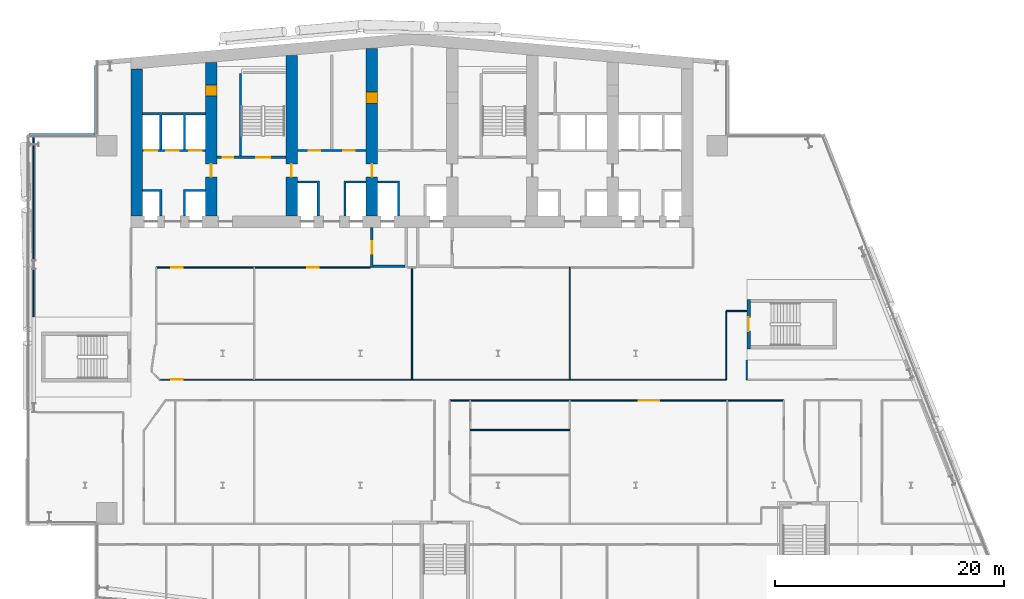
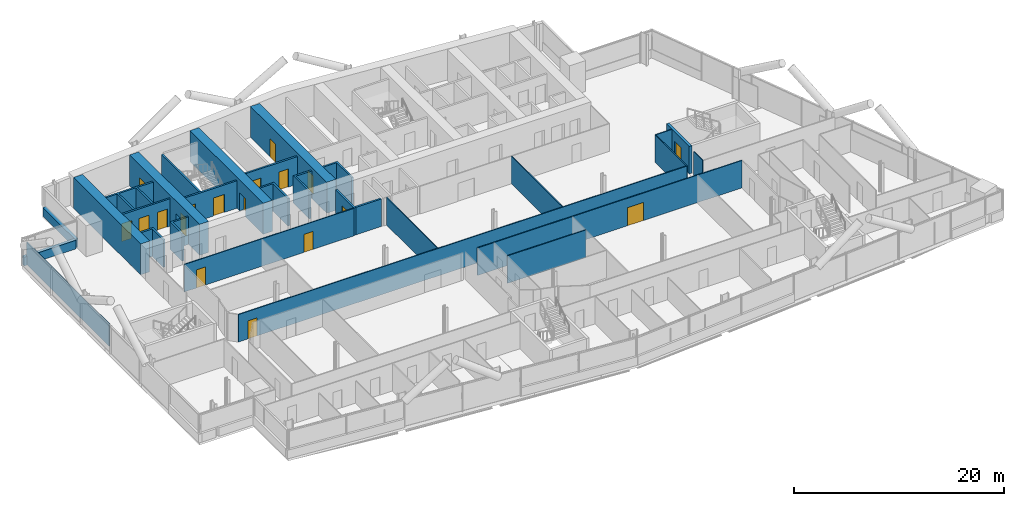
# One storey, part 17 of 27: 29 walls, 18 doors, 18 openings.
"""IFC4 building model written with IfcOpenShell, lengths in metres."""

from ifc_helpers import new_model, si_unit, direction, frame, frame_2d, origin, place, context, subcontext, project, spatial, polyline, rectangle, outline, extrude, material, layer, layer_set, type_object, element, fill, save


model = new_model("IFC4")

# Units and contexts
model_context = context("Model", 3, precision=1e-05, world=origin(), true_north=direction((0.0, 1.0)))
body_context = subcontext(model_context, "Body", "Model", "MODEL_VIEW")
ifc_project = project(units=[si_unit("LENGTHUNIT", "METRE"), si_unit("AREAUNIT", "SQUARE_METRE"), si_unit("VOLUMEUNIT", "CUBIC_METRE"), si_unit("PLANEANGLEUNIT", "RADIAN"), si_unit("MASSUNIT", "GRAM", prefix="KILO")], contexts=[model_context])

# Site, building, storey
site_placement = place(None, origin())
site = spatial("IfcSite", under=ifc_project, at=site_placement, CompositionType="ELEMENT")
building_placement = place(site_placement, origin())
building = spatial("IfcBuilding", under=site, at=building_placement, Name="Wharfspan Tower", CompositionType="ELEMENT")
storey_placement = place(building_placement, frame((0.0, 0.0, 136.300049)))
storey = spatial("IfcBuildingStorey", under=building, at=storey_placement, Name="L32", CompositionType="ELEMENT", Elevation=136.300049)

# Wall, openings, doors
ifc_material_1 = material(Name="Gypsum board on steel studs", Category="steel")
ifc_layer_1 = layer(ifc_material_1, 0.100098)
ifc_layer_set_1 = layer_set([ifc_layer_1], Name="Gypsum board on steel studs")
wall_type_1 = type_object("IfcWallType", Name="Compartment wall 100 EI 60", PredefinedType="PARTITIONING", material=ifc_layer_set_1)
wall_1_placement = place(storey_placement, frame((18.199951, 30.5, 0.0), z_axis=(0.0, 0.0, 1.0), x_axis=(1.0, 0.0, 0.0)))
wall_1 = element("IfcWall", 1, at=wall_1_placement, inside=storey, type_object=wall_type_1, Name="Partition L32.w017", PredefinedType="PARTITIONING", context=body_context, shape_type="SweptSolid", body=[
    extrude(rectangle(XDim=18.650146, YDim=0.100098, at=frame_2d((9.325195, 0.0))), origin(), (0.0, 0.0, 1.0), 3.199951),
])
opening_1_placement = place(wall_1_placement, frame((1.330078, 0.0, 0.0)))
opening_1 = element("IfcOpeningElement", 2, at=opening_1_placement, cuts=wall_1, Name="Opening B5-30", PredefinedType="OPENING", context=body_context, shape_type="SweptSolid", body=[
    extrude(rectangle(XDim=1.0, YDim=2.100098, at=frame_2d((0.5, 1.050049))), frame((0.0, 0.060059, 0.0), z_axis=(0.0, -1.0, 0.0), x_axis=(1.0, 0.0, 0.0)), (0.0, 0.0, 1.0), 0.120117),
])
opening_2_placement = place(wall_1_placement, frame((13.169922, 0.0, 0.0)))
opening_2 = element("IfcOpeningElement", 3, at=opening_2_placement, cuts=wall_1, Name="Opening B5-31", PredefinedType="OPENING", context=body_context, shape_type="SweptSolid", body=[
    extrude(rectangle(XDim=1.0, YDim=2.100098, at=frame_2d((0.5, 1.050049))), frame((0.0, 0.060059, 0.0), z_axis=(0.0, -1.0, 0.0), x_axis=(1.0, 0.0, 0.0)), (0.0, 0.0, 1.0), 0.120117),
])
ifc_material_2 = material(Name="Fire-rated timber door leaf in steel frame", Category="steel")
door_type_1 = type_object("IfcDoorType", Name="Door 1000 FD30S Left", OperationType="SINGLE_SWING_LEFT", PredefinedType="DOOR", material=ifc_material_2)
door_1_placement = place(opening_1_placement, origin())
door_1 = element("IfcDoor", 4, at=door_1_placement, inside=storey, type_object=door_type_1, Name="Door B5-30", OperationType="SINGLE_SWING_LEFT", OverallHeight=2.100098, OverallWidth=1.0, PredefinedType="DOOR", context=body_context, shape_type="SweptSolid", body=[
    extrude(rectangle(XDim=1.0, YDim=2.100098, at=frame_2d((0.5, 1.050049))), frame((0.0, 0.024902, 0.0), z_axis=(0.0, -1.0, 0.0), x_axis=(1.0, 0.0, 0.0)), (0.0, 0.0, 1.0), 0.050049),
])
fill(opening_1, door_1)
door_2_placement = place(opening_2_placement, origin())
door_2 = element("IfcDoor", 5, at=door_2_placement, inside=storey, type_object=door_type_1, Name="Door B5-31", OperationType="SINGLE_SWING_LEFT", OverallHeight=2.100098, OverallWidth=1.0, PredefinedType="DOOR", context=body_context, shape_type="SweptSolid", body=[
    extrude(rectangle(XDim=1.0, YDim=2.100098, at=frame_2d((0.5, 1.050049))), frame((0.0, 0.024902, 0.0), z_axis=(0.0, -1.0, 0.0), x_axis=(1.0, 0.0, 0.0)), (0.0, 0.0, 1.0), 0.050049),
])
fill(opening_2, door_2)

# Wall, opening, door
wall_2_placement = place(storey_placement, frame((18.504883, 20.715088, 0.0), z_axis=(0.0, 0.0, 1.0), x_axis=(1.0, 0.0, 0.0)))
wall_2 = element("IfcWall", 6, at=wall_2_placement, inside=storey, type_object=wall_type_1, Name="Partition L32.w019", PredefinedType="PARTITIONING", context=body_context, shape_type="SweptSolid", body=[
    extrude(rectangle(XDim=49.38501, YDim=0.100098, at=frame_2d((24.692383, 0.0))), origin(), (0.0, 0.0, 1.0), 3.199951),
])
opening_3_placement = place(wall_2_placement, frame((1.024902, 0.0, 0.0)))
opening_3 = element("IfcOpeningElement", 7, at=opening_3_placement, cuts=wall_2, Name="Opening B5-27", PredefinedType="OPENING", context=body_context, shape_type="SweptSolid", body=[
    extrude(rectangle(XDim=1.0, YDim=2.100098, at=frame_2d((0.5, 1.050049))), frame((0.0, 0.060059, 0.0), z_axis=(0.0, -1.0, 0.0), x_axis=(1.0, 0.0, 0.0)), (0.0, 0.0, 1.0), 0.120117),
])
door_3_placement = place(opening_3_placement, origin())
door_3 = element("IfcDoor", 8, at=door_3_placement, inside=storey, type_object=door_type_1, Name="Door B5-27", OperationType="SINGLE_SWING_LEFT", OverallHeight=2.100098, OverallWidth=1.0, PredefinedType="DOOR", context=body_context, shape_type="SweptSolid", body=[
    extrude(rectangle(XDim=1.0, YDim=2.100098, at=frame_2d((0.5, 1.050049))), frame((0.0, 0.024902, 0.0), z_axis=(0.0, -1.0, 0.0), x_axis=(1.0, 0.0, 0.0)), (0.0, 0.0, 1.0), 0.050049),
])
fill(opening_3, door_3)

# Wall
wall_3_placement = place(storey_placement, frame((40.5, 20.715088, 0.0), z_axis=(0.0, 0.0, 1.0), x_axis=(0.0, 1.0, 0.0)))
element("IfcWall", 9, at=wall_3_placement, inside=storey, type_object=wall_type_1, Name="Partition L32.w033", PredefinedType="PARTITIONING", context=body_context, shape_type="SweptSolid", body=[
    extrude(rectangle(XDim=9.784912, YDim=0.100098, at=frame_2d((4.892578, 0.0))), origin(), (0.0, 0.0, 1.0), 3.199951),
])

# Wall, opening, door
wall_4_placement = place(storey_placement, frame((43.794922, 18.905029, 0.0), z_axis=(0.0, 0.0, 1.0), x_axis=(1.0, 0.0, 0.0)))
wall_4 = element("IfcWall", 10, at=wall_4_placement, inside=storey, type_object=wall_type_1, Name="Partition L32.w038", PredefinedType="PARTITIONING", context=body_context, shape_type="SweptSolid", body=[
    extrude(rectangle(XDim=29.120117, YDim=0.100098, at=frame_2d((14.560059, 0.0))), origin(), (0.0, 0.0, 1.0), 3.199951),
])
opening_4_placement = place(wall_4_placement, frame((16.475098, 0.0, 0.0)))
opening_4 = element("IfcOpeningElement", 11, at=opening_4_placement, cuts=wall_4, Name="Opening B5-26", PredefinedType="OPENING", context=body_context, shape_type="SweptSolid", body=[
    extrude(rectangle(XDim=1.800049, YDim=2.100098, at=frame_2d((0.899902, 1.050049))), frame((0.0, 0.060059, 0.0), z_axis=(0.0, -1.0, 0.0), x_axis=(1.0, 0.0, 0.0)), (0.0, 0.0, 1.0), 0.120117),
])
door_type_2 = type_object("IfcDoorType", Name="Door 1800 FD30S Double", OperationType="DOUBLE_DOOR_SINGLE_SWING", PredefinedType="DOOR", material=ifc_material_2)
door_4_placement = place(opening_4_placement, origin())
door_4 = element("IfcDoor", 12, at=door_4_placement, inside=storey, type_object=door_type_2, Name="Door B5-26", OperationType="DOUBLE_DOOR_SINGLE_SWING", OverallHeight=2.100098, OverallWidth=1.800049, PredefinedType="DOOR", context=body_context, shape_type="SweptSolid", body=[
    extrude(rectangle(XDim=1.800049, YDim=2.100098, at=frame_2d((0.899902, 1.050049))), frame((0.0, 0.024902, 0.0), z_axis=(0.0, -1.0, 0.0), x_axis=(1.0, 0.0, 0.0)), (0.0, 0.0, 1.0), 0.050049),
])
fill(opening_4, door_4)

# Walls
wall_5_placement = place(storey_placement, frame((54.25, 20.715088, 0.0), z_axis=(0.0, 0.0, 1.0), x_axis=(0.0, 1.0, 0.0)))
element("IfcWall", 13, at=wall_5_placement, inside=storey, type_object=wall_type_1, Name="Partition L32.w053", PredefinedType="PARTITIONING", context=body_context, shape_type="SweptSolid", body=[
    extrude(rectangle(XDim=9.784912, YDim=0.100098, at=frame_2d((4.892578, 0.0))), origin(), (0.0, 0.0, 1.0), 3.199951),
])
wall_6_placement = place(storey_placement, frame((67.889893, 20.715088, 0.0), z_axis=(0.0, 0.0, 1.0), x_axis=(0.0, 1.0, 0.0)))
element("IfcWall", 14, at=wall_6_placement, inside=storey, type_object=wall_type_1, Name="Partition L32.w058", PredefinedType="PARTITIONING", context=body_context, shape_type="SweptSolid", body=[
    extrude(rectangle(XDim=5.984863, YDim=0.100098, at=frame_2d((2.992432, 0.0))), origin(), (0.0, 0.0, 1.0), 3.199951),
])
wall_7_placement = place(storey_placement, frame((67.889893, 26.699951, 0.0), z_axis=(0.0, 0.0, 1.0), x_axis=(1.0, 0.0, 0.0)))
element("IfcWall", 15, at=wall_7_placement, inside=storey, type_object=wall_type_1, Name="Partition L32.w059", PredefinedType="PARTITIONING", context=body_context, shape_type="SweptSolid", body=[
    extrude(rectangle(XDim=1.780518, YDim=0.100098, at=frame_2d((0.890137, 0.0))), origin(), (0.0, 0.0, 1.0), 3.199951),
])
wall_8_placement = place(storey_placement, frame((69.689941, 20.715088, 0.0), z_axis=(0.0, 0.0, 1.0), x_axis=(0.0, 1.0, 0.0)))
element("IfcWall", 16, at=wall_8_placement, inside=storey, type_object=wall_type_1, Name="Partition L32.w061", PredefinedType="PARTITIONING", context=body_context, shape_type="SweptSolid", body=[
    extrude(rectangle(XDim=1.714844, YDim=0.100098, at=frame_2d((0.857422, 0.0))), origin(), (0.0, 0.0, 1.0), 3.199951),
])
ifc_material_3 = material(Name="Concrete C70/85", Category="concrete")
ifc_layer_2 = layer(ifc_material_3, 1.0)
ifc_layer_set_2 = layer_set([ifc_layer_2], Name="Concrete C70/85")
wall_type_2 = type_object("IfcWallType", Name="Core wall 1000 C70/85", PredefinedType="SHEAR", material=ifc_layer_set_2)
wall_9_placement = place(storey_placement, frame((16.5, 35.0, 0.0), z_axis=(0.0, 0.0, 1.0), x_axis=(0.0, 1.0, 0.0)))
element("IfcWall", 17, at=wall_9_placement, inside=storey, type_object=wall_type_2, Name="Core cross wall EW0 L32", PredefinedType="SHEAR", context=body_context, shape_type="SweptSolid", body=[
    extrude(rectangle(XDim=12.783691, YDim=1.0, at=frame_2d((6.391846, 0.0))), origin(), (0.0, 0.0, 1.0), 3.599854),
])

# Wall, openings, doors
wall_10_placement = place(storey_placement, frame((23.0, 35.0, 0.0), z_axis=(0.0, 0.0, 1.0), x_axis=(0.0, 1.0, 0.0)))
wall_10 = element("IfcWall", 18, at=wall_10_placement, inside=storey, type_object=wall_type_2, Name="Core cross wall X2 L32", PredefinedType="SHEAR", context=body_context, shape_type="SweptSolid", body=[
    extrude(rectangle(XDim=13.352295, YDim=1.0, at=frame_2d((6.67627, 0.0))), origin(), (0.0, 0.0, 1.0), 3.599854),
])
opening_5_placement = place(wall_10_placement, frame((10.425537, 0.0, 0.0)))
opening_5 = element("IfcOpeningElement", 19, at=opening_5_placement, cuts=wall_10, Name="Opening CD32.1X", PredefinedType="OPENING", context=body_context, shape_type="SweptSolid", body=[
    extrude(rectangle(XDim=1.0, YDim=2.100098, at=frame_2d((0.5, 1.050049))), frame((0.0, 0.51001, 0.0), z_axis=(0.0, -1.0, 0.0), x_axis=(1.0, 0.0, 0.0)), (0.0, 0.0, 1.0), 1.02002),
])
opening_6_placement = place(wall_10_placement, frame((3.399902, 0.0, 0.0)))
opening_6 = element("IfcOpeningElement", 20, at=opening_6_placement, cuts=wall_10, Name="Opening CC32.2", PredefinedType="OPENING", context=body_context, shape_type="SweptSolid", body=[
    extrude(rectangle(XDim=1.100098, YDim=2.100098, at=frame_2d((0.550049, 1.050049))), frame((0.0, 0.51001, 0.0), z_axis=(0.0, -1.0, 0.0), x_axis=(1.0, 0.0, 0.0)), (0.0, 0.0, 1.0), 1.02002),
])
ifc_material_4 = material(Name="Steel door leaf", Category="steel")
door_type_3 = type_object("IfcDoorType", Name="Core corridor door 1100x2100", OperationType="SINGLE_SWING_LEFT", PredefinedType="DOOR", material=ifc_material_4)
door_5_placement = place(opening_6_placement, origin())
door_5 = element("IfcDoor", 21, at=door_5_placement, inside=storey, type_object=door_type_3, Name="xd:L32:2", OperationType="SINGLE_SWING_RIGHT", OverallHeight=2.100098, OverallWidth=1.100098, PredefinedType="DOOR", context=body_context, shape_type="SweptSolid", body=[
    extrude(rectangle(XDim=1.100098, YDim=2.100098, at=frame_2d((0.550049, 1.050049))), frame((0.0, 0.024902, 0.0), z_axis=(0.0, -1.0, 0.0), x_axis=(1.0, 0.0, 0.0)), (0.0, 0.0, 1.0), 0.050049),
])
fill(opening_6, door_5)
door_type_4 = type_object("IfcDoorType", Name="Core room door 1000x2100", OperationType="SINGLE_SWING_LEFT", PredefinedType="DOOR", material=ifc_material_4)
door_6_placement = place(opening_5_placement, origin())
door_6 = element("IfcDoor", 22, at=door_6_placement, inside=storey, type_object=door_type_4, Name="d:L32:1:sx", OperationType="SINGLE_SWING_LEFT", OverallHeight=2.100098, OverallWidth=1.0, PredefinedType="DOOR", context=body_context, shape_type="SweptSolid", body=[
    extrude(rectangle(XDim=1.0, YDim=2.100098, at=frame_2d((0.5, 1.050049))), frame((0.0, 0.499756, 0.0), z_axis=(0.0, -1.0, 0.0), x_axis=(1.0, 0.0, 0.0)), (0.0, 0.0, 1.0), 0.999512),
])
fill(opening_5, door_6)

# Wall, opening, door
wall_11_placement = place(storey_placement, frame((30.0, 35.0, 0.0), z_axis=(0.0, 0.0, 1.0), x_axis=(0.0, 1.0, 0.0)))
wall_11 = element("IfcWall", 23, at=wall_11_placement, inside=storey, type_object=wall_type_2, Name="Core cross wall X3 L32", PredefinedType="SHEAR", context=body_context, shape_type="SweptSolid", body=[
    extrude(rectangle(XDim=13.9646, YDim=1.0, at=frame_2d((6.982422, 0.0))), origin(), (0.0, 0.0, 1.0), 3.599854),
])
opening_7_placement = place(wall_11_placement, frame((3.399902, 0.0, 0.0)))
opening_7 = element("IfcOpeningElement", 24, at=opening_7_placement, cuts=wall_11, Name="Opening CC32.3", PredefinedType="OPENING", context=body_context, shape_type="SweptSolid", body=[
    extrude(rectangle(XDim=1.100098, YDim=2.100098, at=frame_2d((0.550049, 1.050049))), frame((0.0, 0.51001, 0.0), z_axis=(0.0, -1.0, 0.0), x_axis=(1.0, 0.0, 0.0)), (0.0, 0.0, 1.0), 1.02002),
])
door_7_placement = place(opening_7_placement, origin())
door_7 = element("IfcDoor", 25, at=door_7_placement, inside=storey, type_object=door_type_3, Name="xd:L32:3", OperationType="SINGLE_SWING_LEFT", OverallHeight=2.100098, OverallWidth=1.100098, PredefinedType="DOOR", context=body_context, shape_type="SweptSolid", body=[
    extrude(rectangle(XDim=1.100098, YDim=2.100098, at=frame_2d((0.550049, 1.050049))), frame((0.0, 0.024902, 0.0), z_axis=(0.0, -1.0, 0.0), x_axis=(1.0, 0.0, 0.0)), (0.0, 0.0, 1.0), 0.050049),
])
fill(opening_7, door_7)

# Wall, openings, doors
wall_12_placement = place(storey_placement, frame((37.0, 35.0, 0.0), z_axis=(0.0, 0.0, 1.0), x_axis=(0.0, 1.0, 0.0)))
wall_12 = element("IfcWall", 26, at=wall_12_placement, inside=storey, type_object=wall_type_2, Name="Core cross wall X4 L32", PredefinedType="SHEAR", context=body_context, shape_type="SweptSolid", body=[
    extrude(rectangle(XDim=14.577148, YDim=1.0, at=frame_2d((7.288574, 0.0))), origin(), (0.0, 0.0, 1.0), 3.599854),
])
opening_8_placement = place(wall_12_placement, frame((3.399902, 0.0, 0.0)))
opening_8 = element("IfcOpeningElement", 27, at=opening_8_placement, cuts=wall_12, Name="Opening CC32.4", PredefinedType="OPENING", context=body_context, shape_type="SweptSolid", body=[
    extrude(rectangle(XDim=1.100098, YDim=2.100098, at=frame_2d((0.550049, 1.050049))), frame((0.0, 0.51001, 0.0), z_axis=(0.0, -1.0, 0.0), x_axis=(1.0, 0.0, 0.0)), (0.0, 0.0, 1.0), 1.02002),
])
opening_9_placement = place(wall_12_placement, frame((9.800049, 0.0, 0.0)))
opening_9 = element("IfcOpeningElement", 28, at=opening_9_placement, cuts=wall_12, Name="Opening CR32.4", PredefinedType="OPENING", context=body_context, shape_type="SweptSolid", body=[
    extrude(rectangle(XDim=1.0, YDim=2.100098, at=frame_2d((0.5, 1.050049))), frame((0.0, 0.51001, 0.0), z_axis=(0.0, -1.0, 0.0), x_axis=(1.0, 0.0, 0.0)), (0.0, 0.0, 1.0), 1.02002),
])
door_8_placement = place(opening_8_placement, origin())
door_8 = element("IfcDoor", 29, at=door_8_placement, inside=storey, type_object=door_type_3, Name="xd:L32:4", OperationType="SINGLE_SWING_RIGHT", OverallHeight=2.100098, OverallWidth=1.100098, PredefinedType="DOOR", context=body_context, shape_type="SweptSolid", body=[
    extrude(rectangle(XDim=1.100098, YDim=2.100098, at=frame_2d((0.550049, 1.050049))), frame((0.0, 0.024902, 0.0), z_axis=(0.0, -1.0, 0.0), x_axis=(1.0, 0.0, 0.0)), (0.0, 0.0, 1.0), 0.050049),
])
fill(opening_8, door_8)
door_9_placement = place(opening_9_placement, origin())
door_9 = element("IfcDoor", 30, at=door_9_placement, inside=storey, type_object=door_type_4, Name="xr:L32:4", OperationType="SINGLE_SWING_RIGHT", OverallHeight=2.100098, OverallWidth=1.0, PredefinedType="DOOR", context=body_context, shape_type="SweptSolid", body=[
    extrude(rectangle(XDim=1.0, YDim=2.100098, at=frame_2d((0.5, 1.050049))), frame((0.0, 0.499756, 0.0), z_axis=(0.0, -1.0, 0.0), x_axis=(1.0, 0.0, 0.0)), (0.0, 0.0, 1.0), 0.999512),
])
fill(opening_9, door_9)

ifc_material_5 = material(Name="Concrete C30/37", Category="concrete")
ifc_layer_3 = layer(ifc_material_5, 0.199951)
ifc_layer_set_3 = layer_set([ifc_layer_3], Name="Concrete C30/37")
wall_type_3 = type_object("IfcWallType", Name="Lift shaft wall 200", PredefinedType="PARTITIONING", material=ifc_layer_set_3)
wall_13_placement = place(storey_placement, frame((17.0, 40.699951, 0.0), z_axis=(0.0, 0.0, 1.0), x_axis=(1.0, 0.0, 0.0)))
wall_13 = element("IfcWall", 31, at=wall_13_placement, inside=storey, type_object=wall_type_3, Name="sw:L32:RF1", PredefinedType="PARTITIONING", context=body_context, shape_type="SweptSolid", body=[
    extrude(rectangle(XDim=5.5, YDim=0.199951, at=frame_2d((2.75, 0.0))), origin(), (0.0, 0.0, 1.0), 3.199951),
])
opening_10_placement = place(wall_13_placement, frame((0.199951, 0.0, 0.0)))
opening_10 = element("IfcOpeningElement", 32, at=opening_10_placement, cuts=wall_13, Name="Opening LD.LA3.L32", PredefinedType="OPENING", context=body_context, shape_type="SweptSolid", body=[
    extrude(rectangle(XDim=1.100098, YDim=2.100098, at=frame_2d((0.550049, 1.050049))), frame((0.0, 0.109863, 0.0), z_axis=(0.0, -1.0, 0.0), x_axis=(1.0, 0.0, 0.0)), (0.0, 0.0, 1.0), 0.219971),
])
opening_11_placement = place(wall_13_placement, frame((2.083252, 0.0, 0.0)))
opening_11 = element("IfcOpeningElement", 33, at=opening_11_placement, cuts=wall_13, Name="Opening LD.LA4.L32", PredefinedType="OPENING", context=body_context, shape_type="SweptSolid", body=[
    extrude(rectangle(XDim=1.100098, YDim=2.100098, at=frame_2d((0.550049, 1.050049))), frame((0.0, 0.109863, 0.0), z_axis=(0.0, -1.0, 0.0), x_axis=(1.0, 0.0, 0.0)), (0.0, 0.0, 1.0), 0.219971),
])
opening_12_placement = place(wall_13_placement, frame((4.083252, 0.0, 0.0)))
opening_12 = element("IfcOpeningElement", 34, at=opening_12_placement, cuts=wall_13, Name="Opening LD.LA5.L32", PredefinedType="OPENING", context=body_context, shape_type="SweptSolid", body=[
    extrude(rectangle(XDim=1.100098, YDim=2.100098, at=frame_2d((0.550049, 1.050049))), frame((0.0, 0.109863, 0.0), z_axis=(0.0, -1.0, 0.0), x_axis=(1.0, 0.0, 0.0)), (0.0, 0.0, 1.0), 0.219971),
])
ifc_material_6 = material(Name="Stainless steel", Category="steel")
door_type_5 = type_object("IfcDoorType", Name="Lift landing door 1100x2100", OperationType="DOUBLE_DOOR_SLIDING", PredefinedType="DOOR", material=ifc_material_6)
door_10_placement = place(opening_10_placement, origin())
door_10 = element("IfcDoor", 35, at=door_10_placement, inside=storey, type_object=door_type_5, Name="Landing door LA3 L32", OperationType="DOUBLE_DOOR_SLIDING", OverallHeight=2.100098, OverallWidth=1.100098, PredefinedType="DOOR", context=body_context, shape_type="SweptSolid", body=[
    extrude(rectangle(XDim=1.100098, YDim=2.100098, at=frame_2d((0.550049, 1.050049))), frame((0.0, 0.024902, 0.0), z_axis=(0.0, -1.0, 0.0), x_axis=(1.0, 0.0, 0.0)), (0.0, 0.0, 1.0), 0.050049),
])
fill(opening_10, door_10)
door_11_placement = place(opening_11_placement, origin())
door_11 = element("IfcDoor", 36, at=door_11_placement, inside=storey, type_object=door_type_5, Name="Landing door LA4 L32", OperationType="DOUBLE_DOOR_SLIDING", OverallHeight=2.100098, OverallWidth=1.100098, PredefinedType="DOOR", context=body_context, shape_type="SweptSolid", body=[
    extrude(rectangle(XDim=1.100098, YDim=2.100098, at=frame_2d((0.550049, 1.050049))), frame((0.0, 0.024902, 0.0), z_axis=(0.0, -1.0, 0.0), x_axis=(1.0, 0.0, 0.0)), (0.0, 0.0, 1.0), 0.050049),
])
fill(opening_11, door_11)
door_12_placement = place(opening_12_placement, origin())
door_12 = element("IfcDoor", 37, at=door_12_placement, inside=storey, type_object=door_type_5, Name="Landing door LA5 L32", OperationType="DOUBLE_DOOR_SLIDING", OverallHeight=2.100098, OverallWidth=1.100098, PredefinedType="DOOR", context=body_context, shape_type="SweptSolid", body=[
    extrude(rectangle(XDim=1.100098, YDim=2.100098, at=frame_2d((0.550049, 1.050049))), frame((0.0, 0.024902, 0.0), z_axis=(0.0, -1.0, 0.0), x_axis=(1.0, 0.0, 0.0)), (0.0, 0.0, 1.0), 0.050049),
])
fill(opening_12, door_12)

# Walls
wall_14_placement = place(storey_placement, frame((0.0, 0.0, -0.000244)))
element("IfcWall", 38, at=wall_14_placement, inside=storey, type_object=wall_type_3, Name="sw:L32:FM1.0", PredefinedType="PARTITIONING", context=body_context, shape_type="SweptSolid", body=[
    extrude(outline(polyline([(18.5, 37.100098), (17.0, 37.100098), (17.0, 37.300049), (18.5, 37.300049), (18.699951, 37.300049), (18.699951, 35.0), (18.5, 35.0), (18.5, 37.100098)])), origin(), (0.0, 0.0, 1.0), 3.200195),
])
wall_15_placement = place(storey_placement, frame((0.0, 0.0, -0.000244)))
element("IfcWall", 39, at=wall_15_placement, inside=storey, type_object=wall_type_3, Name="sw:L32:FM1.1", PredefinedType="PARTITIONING", context=body_context, shape_type="SweptSolid", body=[
    extrude(outline(polyline([(20.56665, 37.300049), (20.766602, 37.300049), (22.5, 37.300049), (22.5, 37.100098), (20.766602, 37.100098), (20.766602, 35.0), (20.56665, 35.0), (20.56665, 37.300049)])), origin(), (0.0, 0.0, 1.0), 3.200195),
])
wall_16_placement = place(storey_placement, frame((0.0, 0.0, -0.000244)))
element("IfcWall", 40, at=wall_16_placement, inside=storey, type_object=wall_type_3, Name="sw:L32:RM1.0", PredefinedType="PARTITIONING", context=body_context, shape_type="SweptSolid", body=[
    extrude(outline(polyline([(18.699951, 40.800049), (18.5, 40.800049), (18.5, 43.800049), (17.0, 43.800049), (17.0, 44.0), (22.5, 44.0), (22.5, 43.800049), (20.766602, 43.800049), (20.766602, 40.800049), (20.56665, 40.800049), (20.56665, 43.800049), (18.699951, 43.800049), (18.699951, 40.800049)])), origin(), (0.0, 0.0, 1.0), 3.200195),
])

# Wall, openings, doors
wall_17_placement = place(storey_placement, frame((30.5, 40.699951, 0.0), z_axis=(0.0, 0.0, 1.0), x_axis=(1.0, 0.0, 0.0)))
wall_17 = element("IfcWall", 41, at=wall_17_placement, inside=storey, type_object=wall_type_3, Name="sw:L32:RF3", PredefinedType="PARTITIONING", context=body_context, shape_type="SweptSolid", body=[
    extrude(rectangle(XDim=6.0, YDim=0.199951, at=frame_2d((3.0, 0.0))), origin(), (0.0, 0.0, 1.0), 3.199951),
])
opening_13_placement = place(wall_17_placement, frame((1.0, 0.0, 0.0)))
opening_13 = element("IfcOpeningElement", 42, at=opening_13_placement, cuts=wall_17, Name="Opening CD32.3S", PredefinedType="OPENING", context=body_context, shape_type="SweptSolid", body=[
    extrude(rectangle(XDim=1.0, YDim=2.100098, at=frame_2d((0.5, 1.050049))), frame((0.0, 0.109863, 0.0), z_axis=(0.0, -1.0, 0.0), x_axis=(1.0, 0.0, 0.0)), (0.0, 0.0, 1.0), 0.219971),
])
opening_14_placement = place(wall_17_placement, frame((4.0, 0.0, 0.0)))
opening_14 = element("IfcOpeningElement", 43, at=opening_14_placement, cuts=wall_17, Name="Opening CD32.3Sa", PredefinedType="OPENING", context=body_context, shape_type="SweptSolid", body=[
    extrude(rectangle(XDim=1.0, YDim=2.100098, at=frame_2d((0.5, 1.050049))), frame((0.0, 0.109863, 0.0), z_axis=(0.0, -1.0, 0.0), x_axis=(1.0, 0.0, 0.0)), (0.0, 0.0, 1.0), 0.219971),
])
door_13_placement = place(opening_13_placement, origin())
door_13 = element("IfcDoor", 44, at=door_13_placement, inside=storey, type_object=door_type_4, Name="d:L32:3:sf", OperationType="SINGLE_SWING_LEFT", OverallHeight=2.100098, OverallWidth=1.0, PredefinedType="DOOR", context=body_context, shape_type="SweptSolid", body=[
    extrude(rectangle(XDim=1.0, YDim=2.100098, at=frame_2d((0.5, 1.050049))), frame((0.0, 0.024902, 0.0), z_axis=(0.0, -1.0, 0.0), x_axis=(1.0, 0.0, 0.0)), (0.0, 0.0, 1.0), 0.050049),
])
fill(opening_13, door_13)
door_14_placement = place(opening_14_placement, origin())
door_14 = element("IfcDoor", 45, at=door_14_placement, inside=storey, type_object=door_type_4, Name="d:L32:3:sf1", OperationType="SINGLE_SWING_LEFT", OverallHeight=2.100098, OverallWidth=1.0, PredefinedType="DOOR", context=body_context, shape_type="SweptSolid", body=[
    extrude(rectangle(XDim=1.0, YDim=2.100098, at=frame_2d((0.5, 1.050049))), frame((0.0, 0.024902, 0.0), z_axis=(0.0, -1.0, 0.0), x_axis=(1.0, 0.0, 0.0)), (0.0, 0.0, 1.0), 0.050049),
])
fill(opening_14, door_14)

# Walls
wall_18_placement = place(storey_placement, frame((0.0, 0.0, -0.000244)))
element("IfcWall", 46, at=wall_18_placement, inside=storey, type_object=wall_type_3, Name="sw:L32:FM3.0", PredefinedType="PARTITIONING", context=body_context, shape_type="SweptSolid", body=[
    extrude(outline(polyline([(32.233398, 37.850098), (30.5, 37.850098), (30.5, 38.050049), (32.233398, 38.050049), (32.43335, 38.050049), (32.43335, 35.0), (32.233398, 35.0), (32.233398, 37.850098)])), origin(), (0.0, 0.0, 1.0), 3.200195),
])
wall_19_placement = place(storey_placement, frame((0.0, 0.0, -0.000244)))
element("IfcWall", 47, at=wall_19_placement, inside=storey, type_object=wall_type_3, Name="sw:L32:FM3.1", PredefinedType="PARTITIONING", context=body_context, shape_type="SweptSolid", body=[
    extrude(outline(polyline([(34.56665, 38.050049), (34.766602, 38.050049), (36.5, 38.050049), (36.5, 37.850098), (34.766602, 37.850098), (34.766602, 35.0), (34.56665, 35.0), (34.56665, 38.050049)])), origin(), (0.0, 0.0, 1.0), 3.200195),
])
wall_20_placement = place(storey_placement, frame((0.0, 0.0, -0.000244)))
element("IfcWall", 48, at=wall_20_placement, inside=storey, type_object=wall_type_3, Name="sw:L32:FM4.1", PredefinedType="PARTITIONING", context=body_context, shape_type="SweptSolid", body=[
    extrude(outline(polyline([(39.233398, 37.850098), (37.5, 37.850098), (37.5, 38.050049), (39.233398, 38.050049), (39.43335, 38.050049), (39.43335, 35.0), (39.233398, 35.0), (39.233398, 37.850098)])), origin(), (0.0, 0.0, 1.0), 3.200195),
])

# Wall, opening, door
ifc_layer_4 = layer(ifc_material_5, 0.199951)
ifc_layer_set_4 = layer_set([ifc_layer_4], Name="Concrete C30/37")
wall_type_4 = type_object("IfcWallType", Name="Lobby wall 200", PredefinedType="PARTITIONING", material=ifc_layer_set_4)
wall_21_placement = place(storey_placement, frame((37.0, 30.5, 0.0), z_axis=(0.0, 0.0, 1.0), x_axis=(0.0, 1.0, 0.0)))
wall_21 = element("IfcWall", 49, at=wall_21_placement, inside=storey, type_object=wall_type_4, Name="sw:L32:FLFF1W", PredefinedType="PARTITIONING", context=body_context, shape_type="SweptSolid", body=[
    extrude(rectangle(XDim=3.5, YDim=0.199951, at=frame_2d((1.75, 0.0))), origin(), (0.0, 0.0, 1.0), 3.199951),
])
opening_15_placement = place(wall_21_placement, frame((1.199951, 0.0, 0.0)))
opening_15 = element("IfcOpeningElement", 50, at=opening_15_placement, cuts=wall_21, Name="Opening FL.FF1.L32", PredefinedType="OPENING", context=body_context, shape_type="SweptSolid", body=[
    extrude(rectangle(XDim=1.100098, YDim=2.100098, at=frame_2d((0.550049, 1.050049))), frame((0.0, 0.109863, 0.0), z_axis=(0.0, -1.0, 0.0), x_axis=(1.0, 0.0, 0.0)), (0.0, 0.0, 1.0), 0.219971),
])
door_type_6 = type_object("IfcDoorType", Name="Firefighting lobby door 1100x2100", OperationType="SINGLE_SWING_LEFT", PredefinedType="DOOR", material=ifc_material_4)
door_15_placement = place(opening_15_placement, origin())
door_15 = element("IfcDoor", 51, at=door_15_placement, inside=storey, type_object=door_type_6, Name="fd:L32:FF1", OperationType="SINGLE_SWING_LEFT", OverallHeight=2.100098, OverallWidth=1.100098, PredefinedType="DOOR", context=body_context, shape_type="SweptSolid", body=[
    extrude(rectangle(XDim=1.100098, YDim=2.100098, at=frame_2d((0.550049, 1.050049))), frame((0.0, 0.024902, 0.0), z_axis=(0.0, -1.0, 0.0), x_axis=(1.0, 0.0, 0.0)), (0.0, 0.0, 1.0), 0.050049),
])
fill(opening_15, door_15)

# Walls
wall_22_placement = place(storey_placement, frame((37.100098, 30.600098, 0.0), z_axis=(0.0, 0.0, 1.0), x_axis=(1.0, 0.0, 0.0)))
element("IfcWall", 52, at=wall_22_placement, inside=storey, type_object=wall_type_4, Name="sw:L32:FLFF1F", PredefinedType="PARTITIONING", context=body_context, shape_type="SweptSolid", body=[
    extrude(rectangle(XDim=2.799805, YDim=0.199951, at=frame_2d((1.399902, 0.0))), origin(), (0.0, 0.0, 1.0), 3.199951),
])
ifc_layer_5 = layer(ifc_material_1, 0.100098)
ifc_layer_set_5 = layer_set([ifc_layer_5], Name="Gypsum board on steel studs")
wall_type_5 = type_object("IfcWallType", Name="Partition 100", PredefinedType="PARTITIONING", material=ifc_layer_set_5)
wall_23_placement = place(storey_placement, frame((7.51001, 26.219971, 0.0), z_axis=(0.0, 0.0, 1.0), x_axis=(0.0, 1.0, 0.0)))
element("IfcWall", 53, at=wall_23_placement, inside=storey, type_object=wall_type_5, Name="Partition L32.w002", PredefinedType="PARTITIONING", context=body_context, shape_type="SweptSolid", body=[
    extrude(rectangle(XDim=15.76001, YDim=0.100098, at=frame_2d((7.879883, 0.0))), origin(), (0.0, 0.0, 1.0), 2.579834),
])
wall_24_placement = place(storey_placement, frame((45.584961, 16.330078, 0.0), z_axis=(0.0, 0.0, 1.0), x_axis=(1.0, 0.0, 0.0)))
element("IfcWall", 54, at=wall_24_placement, inside=storey, type_object=wall_type_5, Name="Partition L32.w043", PredefinedType="PARTITIONING", context=body_context, shape_type="SweptSolid", body=[
    extrude(rectangle(XDim=8.665039, YDim=0.100098, at=frame_2d((4.33252, 0.0))), origin(), (0.0, 0.0, 1.0), 3.199951),
])
ifc_material_7 = material(Name="Concrete C40/50", Category="concrete")
ifc_layer_6 = layer(ifc_material_7, 0.350098)
ifc_layer_set_6 = layer_set([ifc_layer_6], Name="Concrete C40/50")
wall_type_6 = type_object("IfcWallType", Name="SPANDREL EXPOSED CONCRETE 350", PredefinedType="SOLIDWALL", material=ifc_layer_set_6)
wall_25_placement = place(storey_placement, frame((12.995117, 48.126465, 0.0), z_axis=(0.0, 0.0, 1.0), x_axis=(0.0, -1.0, 0.0)))
element("IfcWall", 55, at=wall_25_placement, inside=storey, type_object=wall_type_6, Name="Spandrel upstand L32 NRW-V", PredefinedType="SOLIDWALL", context=body_context, shape_type="SweptSolid", body=[
    extrude(rectangle(XDim=6.126465, YDim=0.350098, at=frame_2d((3.063232, 0.0))), origin(), (0.0, 0.0, 1.0), 1.0),
])
wall_26_placement = place(storey_placement, frame((12.820068, 42.004883, 0.0), z_axis=(0.0, 0.0, 1.0), x_axis=(-1.0, 0.0, 0.0)))
element("IfcWall", 56, at=wall_26_placement, inside=storey, type_object=wall_type_6, Name="Spandrel upstand L32 NRW-H", PredefinedType="SOLIDWALL", context=body_context, shape_type="SweptSolid", body=[
    extrude(rectangle(XDim=5.699951, YDim=0.350098, at=frame_2d((2.850098, 0.0))), origin(), (0.0, 0.0, 1.0), 1.0),
])

# Wall, opening, door
ifc_layer_7 = layer(ifc_material_7, 0.300049)
ifc_layer_set_7 = layer_set([ifc_layer_7], Name="Concrete C40/50")
wall_type_7 = type_object("IfcWallType", Name="Stair core wall 300", PredefinedType="SHEAR", material=ifc_layer_set_7)
wall_27_placement = place(storey_placement, frame((69.840332, 23.375, 0.0), z_axis=(0.0, 0.0, 1.0), x_axis=(0.0, 1.0, 0.0)))
wall_27 = element("IfcWall", 57, at=wall_27_placement, inside=storey, type_object=wall_type_7, Name="ST6 stair enclosure wall L32", PredefinedType="SHEAR", context=body_context, shape_type="SweptSolid", body=[
    extrude(rectangle(XDim=4.350098, YDim=0.300049, at=frame_2d((2.175049, 0.0))), origin(), (0.0, 0.0, 1.0), 3.199951),
])
opening_16_placement = place(wall_27_placement, frame((1.574951, 0.0, 0.0)))
opening_16 = element("IfcOpeningElement", 58, at=opening_16_placement, cuts=wall_27, Name="Opening SD6.L32", PredefinedType="OPENING", context=body_context, shape_type="SweptSolid", body=[
    extrude(rectangle(XDim=1.199951, YDim=2.100098, at=frame_2d((0.600098, 1.050049))), frame((0.0, 0.159912, 0.0), z_axis=(0.0, -1.0, 0.0), x_axis=(1.0, 0.0, 0.0)), (0.0, 0.0, 1.0), 0.320068),
])
door_type_7 = type_object("IfcDoorType", Name="Stair door 1200x2100", OperationType="SINGLE_SWING_LEFT", PredefinedType="DOOR", material=ifc_material_4)
door_16_placement = place(opening_16_placement, origin())
door_16 = element("IfcDoor", 59, at=door_16_placement, inside=storey, type_object=door_type_7, Name="sd:L32:ST6z2", OperationType="SINGLE_SWING_RIGHT", OverallHeight=2.100098, OverallWidth=1.199951, PredefinedType="DOOR", context=body_context, shape_type="SweptSolid", body=[
    extrude(rectangle(XDim=1.199951, YDim=2.100098, at=frame_2d((0.600098, 1.050049))), frame((0.0, 0.024902, 0.0), z_axis=(0.0, -1.0, 0.0), x_axis=(1.0, 0.0, 0.0)), (0.0, 0.0, 1.0), 0.050049),
])
fill(opening_16, door_16)

# Wall, openings, doors
ifc_layer_8 = layer(ifc_material_7, 0.199951)
ifc_layer_set_8 = layer_set([ifc_layer_8], Name="Concrete C40/50")
wall_type_8 = type_object("IfcWallType", Name="Stair shaft wall 200", PredefinedType="SHEAR", material=ifc_layer_set_8)
wall_28_placement = place(storey_placement, frame((23.5, 40.100098, 0.0), z_axis=(0.0, 0.0, 1.0), x_axis=(1.0, 0.0, 0.0)))
wall_28 = element("IfcWall", 60, at=wall_28_placement, inside=storey, type_object=wall_type_8, Name="ST1 stair enclosure wall L32", PredefinedType="SHEAR", context=body_context, shape_type="SweptSolid", body=[
    extrude(rectangle(XDim=6.0, YDim=0.199951, at=frame_2d((3.0, 0.0))), origin(), (0.0, 0.0, 1.0), 3.199951),
])
opening_17_placement = place(wall_28_placement, frame((3.425049, 0.0, 0.0)))
opening_17 = element("IfcOpeningElement", 61, at=opening_17_placement, cuts=wall_28, Name="Opening SD2.L32", PredefinedType="OPENING", context=body_context, shape_type="SweptSolid", body=[
    extrude(rectangle(XDim=1.199951, YDim=2.100098, at=frame_2d((0.600098, 1.050049))), frame((0.0, 0.109863, 0.0), z_axis=(0.0, -1.0, 0.0), x_axis=(1.0, 0.0, 0.0)), (0.0, 0.0, 1.0), 0.219971),
])
opening_18_placement = place(wall_28_placement, frame((0.524902, 0.0, 0.0)))
opening_18 = element("IfcOpeningElement", 62, at=opening_18_placement, cuts=wall_28, Name="Opening CD32.2R", PredefinedType="OPENING", context=body_context, shape_type="SweptSolid", body=[
    extrude(rectangle(XDim=0.899902, YDim=2.100098, at=frame_2d((0.449951, 1.050049))), frame((0.0, 0.109863, 0.0), z_axis=(0.0, -1.0, 0.0), x_axis=(1.0, 0.0, 0.0)), (0.0, 0.0, 1.0), 0.219971),
])
door_17_placement = place(opening_18_placement, origin())
door_17 = element("IfcDoor", 63, at=door_17_placement, inside=storey, type_object=door_type_4, Name="rk:L32:2", OperationType="SINGLE_SWING_LEFT", OverallHeight=2.100098, OverallWidth=0.899902, PredefinedType="DOOR", context=body_context, shape_type="SweptSolid", body=[
    extrude(rectangle(XDim=0.899902, YDim=2.100098, at=frame_2d((0.449951, 1.050049))), frame((0.0, 0.024902, 0.0), z_axis=(0.0, -1.0, 0.0), x_axis=(1.0, 0.0, 0.0)), (0.0, 0.0, 1.0), 0.050049),
])
fill(opening_18, door_17)
door_18_placement = place(opening_17_placement, origin())
door_18 = element("IfcDoor", 64, at=door_18_placement, inside=storey, type_object=door_type_7, Name="sd:L32:2", OperationType="SINGLE_SWING_RIGHT", OverallHeight=2.100098, OverallWidth=1.199951, PredefinedType="DOOR", context=body_context, shape_type="SweptSolid", body=[
    extrude(rectangle(XDim=1.199951, YDim=2.100098, at=frame_2d((0.600098, 1.050049))), frame((0.0, 0.024902, 0.0), z_axis=(0.0, -1.0, 0.0), x_axis=(1.0, 0.0, 0.0)), (0.0, 0.0, 1.0), 0.050049),
])
fill(opening_17, door_18)

# Wall
wall_29_placement = place(storey_placement, frame((25.550049, 40.199951, 0.0), z_axis=(0.0, 0.0, 1.0), x_axis=(0.0, 1.0, 0.0)))
element("IfcWall", 65, at=wall_29_placement, inside=storey, type_object=wall_type_8, Name="ST1 stair enclosure wall L32", PredefinedType="SHEAR", context=body_context, shape_type="SweptSolid", body=[
    extrude(rectangle(XDim=7.199951, YDim=0.199951, at=frame_2d((3.600098, 0.0))), origin(), (0.0, 0.0, 1.0), 3.199951),
])

save(model, "model.ifc")
